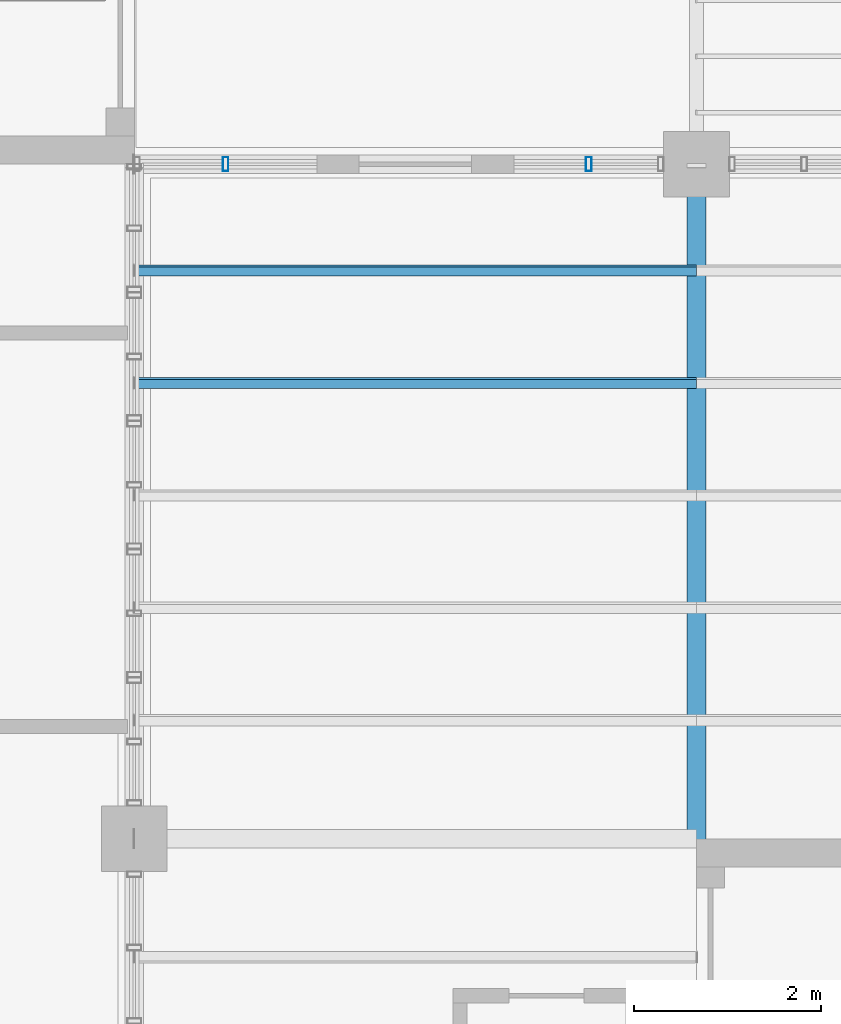
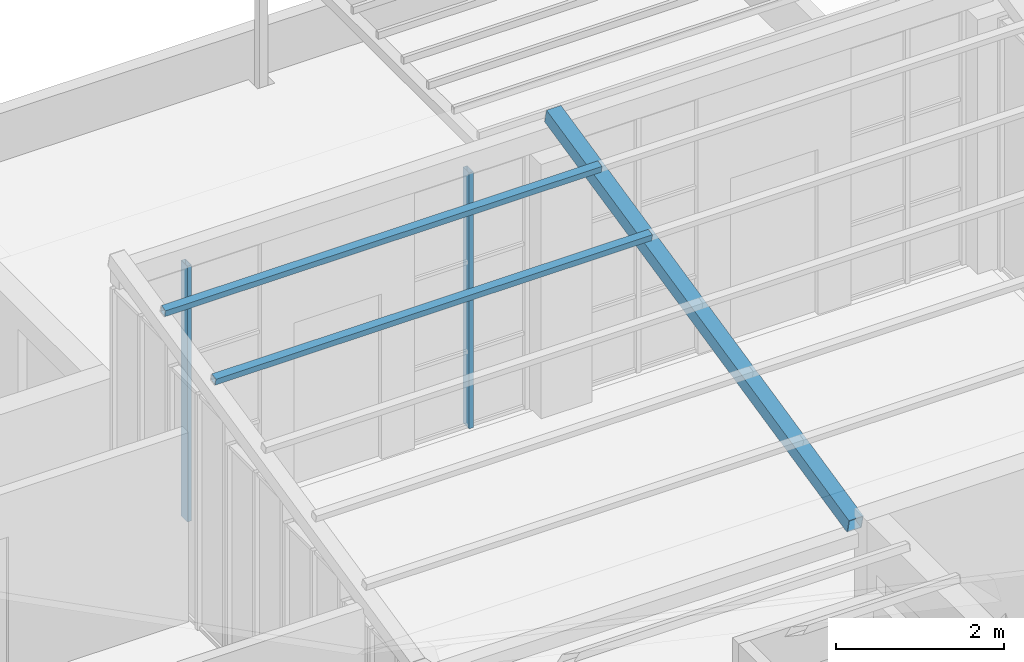
# One storey, part 21 of 51: 5 members, 2 elements without a shape of their own.
"""IFC4 building model written with IfcOpenShell, lengths in metres."""

import ifcopenshell
import ifcopenshell.guid

model = None  # the IFC model being written
_history = None  # IfcOwnerHistory: only IFC2X3 demands one
_inside = {}  # id of a spatial element -> (the spatial element, [elements in it])
_under = {}  # id of a project, library or spatial element -> (it, [spatial elements below it])
_declared = {}  # id of a project -> (the project, [libraries it declares])
_typed = {}  # id of a type object -> (the type object, [elements of that type])
_made_of = {}  # id of a material, layer set ... -> (it, [elements and type objects made of it])


def new_model(schema):
    """Start an empty IFC model of exactly this schema.

    Asked for "IFC4X3", IfcOpenShell would pick the latest addendum, in which some entities
    have other attributes; the version numbers below select the first issue.
    IFC2X3 requires an IfcOwnerHistory on every rooted entity: one is made here for all.
    """
    global model, _history
    if schema == "IFC4X3":
        model = ifcopenshell.file(schema_version=(4, 3, 0, 0))
    else:
        model = ifcopenshell.file(schema=schema)
    _inside.clear()
    _under.clear()
    _declared.clear()
    _typed.clear()
    _made_of.clear()
    _history = None
    if model.schema == "IFC2X3":
        org = make("IfcOrganization", Name="unknown")
        user = make(
            "IfcPersonAndOrganization",
            ThePerson=make("IfcPerson", FamilyName="unknown"),
            TheOrganization=org,
        )
        app = make(
            "IfcApplication",
            ApplicationDeveloper=org,
            Version="unknown",
            ApplicationFullName="unknown",
            ApplicationIdentifier="unknown",
        )
        _history = make(
            "IfcOwnerHistory",
            OwningUser=user,
            OwningApplication=app,
            ChangeAction="ADDED",
            CreationDate=0,
        )
    return model


def make(cls, **values):
    """One entity of the class cls with the attributes given. An attribute that is None is left unset."""
    return model.create_entity(
        cls, **{name: value for name, value in values.items() if value is not None}
    )


def rooted(cls, **values):
    """An entity with a GlobalId (a new one), such as an element, a storey or a relation."""
    return make(cls, GlobalId=ifcopenshell.guid.new(), OwnerHistory=_history, **values)


def si_unit(unit_type, name, prefix=None):
    """IfcSIUnit, for example si_unit("LENGTHUNIT", "METRE", prefix="MILLI")."""
    return make("IfcSIUnit", UnitType=unit_type, Prefix=prefix, Name=name)


def assignment(units):
    """IfcUnitAssignment: the units of a project."""
    return None if units is None else make("IfcUnitAssignment", Units=units)


def point(xyz):
    """IfcCartesianPoint."""
    return None if xyz is None else make("IfcCartesianPoint", Coordinates=xyz)


def direction(xyz):
    """IfcDirection."""
    return None if xyz is None else make("IfcDirection", DirectionRatios=xyz)


def frame(location, z_axis=None, x_axis=None):
    """IfcAxis2Placement3D, a coordinate frame: its origin and axes. An axis left out is left unset."""
    return make(
        "IfcAxis2Placement3D",
        Location=point(location),
        Axis=direction(z_axis),
        RefDirection=direction(x_axis),
    )


def frame_2d(location, x_axis=None):
    """IfcAxis2Placement2D, a coordinate frame in the plane: its origin and x axis."""
    return make(
        "IfcAxis2Placement2D", Location=point(location), RefDirection=direction(x_axis)
    )


def origin():
    """The frame at (0, 0, 0) with its axes left unset."""
    return frame((0.0, 0.0, 0.0))


def origin_2d():
    """The frame at (0, 0) in the plane with its x axis left unset."""
    return frame_2d((0.0, 0.0))


def place(relative_to, where):
    """IfcLocalPlacement: puts the frame where relative to a parent placement (None: the world)."""
    return make(
        "IfcLocalPlacement", PlacementRelTo=relative_to, RelativePlacement=where
    )


def context(
    kind, dimensions, precision=None, world=None, true_north=None, identifier=None
):
    """IfcGeometricRepresentationContext, for example the 3D "Model" context."""
    return make(
        "IfcGeometricRepresentationContext",
        ContextIdentifier=identifier,
        ContextType=kind,
        CoordinateSpaceDimension=dimensions,
        Precision=precision,
        WorldCoordinateSystem=world,
        TrueNorth=true_north,
    )


def subcontext(parent, identifier, kind, view, scale=None):
    """IfcGeometricRepresentationSubContext, for example "Body" below "Model"."""
    return make(
        "IfcGeometricRepresentationSubContext",
        ContextIdentifier=identifier,
        ContextType=kind,
        ParentContext=parent,
        TargetScale=scale,
        TargetView=view,
    )


def project(units=None, contexts=None):
    """IfcProject with its units and contexts."""
    return rooted(
        "IfcProject",
        Name="project",
        RepresentationContexts=contexts,
        UnitsInContext=assignment(units),
    )


def spatial(cls, under=None, at=None, **own):
    """A site, building, storey or space (cls), placed at a placement, below another one or the project."""
    s = rooted(cls, ObjectPlacement=at, **own)
    if under is not None:
        _under.setdefault(under.id(), (under, []))[1].append(s)
    return s


def profile(cls, at=None, kind="AREA", **sizes):
    """A parametric profile (cls). Its sizes go by their IFC names, for example OverallWidth=200.0."""
    return make(cls, ProfileType=kind, Position=at, **sizes)


def hollow_rectangle(**sizes):
    """IfcRectangleHollowProfileDef."""
    return profile("IfcRectangleHollowProfileDef", **sizes)


def extrude(swept, where, along, depth):
    """IfcExtrudedAreaSolid: the profile swept, set in the frame where, extruded along a direction by depth."""
    return make(
        "IfcExtrudedAreaSolid",
        SweptArea=swept,
        Position=where,
        ExtrudedDirection=direction(along),
        Depth=depth,
    )


def shape(context_of_items, identifier, shape_type, items):
    """IfcShapeRepresentation: the items that make up one representation, for example the "Body"."""
    return make(
        "IfcShapeRepresentation",
        ContextOfItems=context_of_items,
        RepresentationIdentifier=identifier,
        RepresentationType=shape_type,
        Items=items,
    )


def material(Name=None, Category=None):
    """IfcMaterial."""
    return make("IfcMaterial", Name=Name, Category=Category)


def material_profile(
    of_material, cross_section, Name=None, Category=None, Priority=None
):
    """IfcMaterialProfile: a cross section and its material."""
    return make(
        "IfcMaterialProfile",
        Name=Name,
        Material=of_material,
        Profile=cross_section,
        Priority=Priority,
        Category=Category,
    )


def profile_set(profiles, Name=None, composite=None):
    """IfcMaterialProfileSet."""
    return make(
        "IfcMaterialProfileSet",
        Name=Name,
        MaterialProfiles=profiles,
        CompositeProfile=composite,
    )


def made_of(thing, what):
    """Note that an element or type object is made of a material, layer set ...; save() writes the relation."""
    if what is not None:
        _made_of.setdefault(what.id(), (what, []))[1].append(thing)
    return thing


def type_object(cls, material=None, **own):
    """A type object (cls), such as IfcWallType, which elements share."""
    return made_of(rooted(cls, **own), material)


def element(
    cls,
    number,
    at=None,
    inside=None,
    cuts=None,
    type_object=None,
    material=None,
    context=None,
    identifier="Body",
    shape_type=None,
    held_by="IfcProductDefinitionShape",
    body=None,
    shapes=None,
    **own,
):
    """One element of the class cls, such as IfcWall. Its Tag is "e" and its number.

    at: its placement. inside: the storey or other place that contains it. cuts: it is an
    opening in that element (IfcRelVoidsElement). A single representation is given by context,
    identifier, shape_type and body (its items); several are given by shapes. held_by: the class
    of the entity that holds the representations. save() writes the other relations.
    """
    e = rooted(cls, Tag="e%d" % number, ObjectPlacement=at, **own)
    if body is not None:
        shapes = [shape(context, identifier, shape_type, body)]
    if shapes is not None:
        e.Representation = make(held_by, Representations=shapes)
    if inside is not None:
        _inside.setdefault(inside.id(), (inside, []))[1].append(e)
    if cuts is not None:
        rooted(
            "IfcRelVoidsElement", RelatingBuildingElement=cuts, RelatedOpeningElement=e
        )
    if type_object is not None:
        _typed.setdefault(type_object.id(), (type_object, []))[1].append(e)
    return made_of(e, material)


def aggregate(whole, parts):
    """IfcRelAggregates: a whole, such as a stair, and the parts it consists of."""
    return rooted("IfcRelAggregates", RelatingObject=whole, RelatedObjects=parts)


def save(model, path):
    """Write the relations noted so far, then the file.

    IfcRelAggregates (storeys below a building ...), IfcRelContainedInSpatialStructure (elements
    in a storey), IfcRelDefinesByType, IfcRelAssociatesMaterial and IfcRelDeclares: one each for
    every whole, place, type object, material and project.
    """
    for whole, parts in _under.values():
        aggregate(whole, parts)
    for where, things in _inside.values():
        rooted(
            "IfcRelContainedInSpatialStructure",
            RelatedElements=things,
            RelatingStructure=where,
        )
    for kind, things in _typed.values():
        rooted("IfcRelDefinesByType", RelatedObjects=things, RelatingType=kind)
    for what, things in _made_of.values():
        rooted("IfcRelAssociatesMaterial", RelatedObjects=things, RelatingMaterial=what)
    for by, libraries in _declared.values():
        rooted("IfcRelDeclares", RelatingContext=by, RelatedDefinitions=libraries)
    model.write(path)


model = new_model("IFC4")

# Units and contexts
model_context = context("Model", 3, precision=1e-05, world=origin(), true_north=direction((0.0, 1.0)))
body_context = subcontext(model_context, "Body", "Model", "MODEL_VIEW")
ifc_project = project(units=[si_unit("LENGTHUNIT", "METRE"), si_unit("AREAUNIT", "SQUARE_METRE"), si_unit("VOLUMEUNIT", "CUBIC_METRE"), si_unit("PLANEANGLEUNIT", "RADIAN"), si_unit("MASSUNIT", "GRAM", prefix="KILO")], contexts=[model_context])

# Site, building, storey
site_placement = place(None, origin())
site = spatial("IfcSite", under=ifc_project, at=site_placement, CompositionType="ELEMENT")
building_placement = place(site_placement, origin())
building = spatial("IfcBuilding", under=site, at=building_placement, Name="Laocheng Heights Fire and Rescue Headquarters", CompositionType="ELEMENT")
storey_placement = place(building_placement, frame((0.0, 0.0, 21.0)))
storey = spatial("IfcBuildingStorey", under=building, at=storey_placement, Name="L05", CompositionType="ELEMENT", Elevation=21.0)

# Curtain wall, member
ifc_material_1 = material(Name="Dark anodised aluminium unitised curtain wall, low-e double glazing", Category="aluminium")
curtain_wall_type_1 = type_object("IfcCurtainWallType", Name="CW 1950 x 3714 CREW ROOF LOUNGE GLAZING", PredefinedType="NOTDEFINED", material=ifc_material_1)
curtain_wall_1_placement = place(storey_placement, origin())
curtain_wall_1 = element("IfcCurtainWall", 1, at=curtain_wall_1_placement, inside=storey, type_object=curtain_wall_type_1, Name="X10-W CREW LOUNGE NORTH L05", PredefinedType="NOTDEFINED")
ifc_material_2 = material(Name="Dark anodised aluminium 6063-T5 extrusion", Category="aluminium")
ifc_material_profile_1 = material_profile(ifc_material_2, hollow_rectangle(XDim=0.14990234375, YDim=0.06005859375, WallThickness=0.0029296875, at=origin_2d()), Name="AL MULLION 150x60x3 CREW ROOF LOUNGE GLAZING")
ifc_profile_set_1 = profile_set([ifc_material_profile_1], Name="Dark anodised aluminium 6063-T5 extrusion")
member_type_1 = type_object("IfcMemberType", Name="AL MULLION 150x60x3 CREW ROOF LOUNGE GLAZING", PredefinedType="MULLION", material=ifc_profile_set_1)
member_1_placement = place(storey_placement, frame((96.97509765625, 50.39990234375, 0.0), z_axis=(0.0, 0.0, 1.0), x_axis=(0.0, 1.0, 0.0)))
member_1 = element("IfcMember", 2, at=member_1_placement, type_object=member_type_1, Name="X10-W mullion 2", PredefinedType="MULLION", context=body_context, shape_type="SweptSolid", body=[
    extrude(hollow_rectangle(XDim=0.14990234375, YDim=0.06005859375, WallThickness=0.0029296875, at=origin_2d()), origin(), (0.0, 0.0, 1.0), 3.71435546875),
])
aggregate(curtain_wall_1, [member_1])

ifc_material_3 = material(Name="Dark anodised aluminium unitised curtain wall, low-e double glazing", Category="aluminium")
curtain_wall_type_2 = type_object("IfcCurtainWallType", Name="CW 1600 x 3714 CREW ROOF LOUNGE GLAZING", PredefinedType="NOTDEFINED", material=ifc_material_3)
curtain_wall_2_placement = place(storey_placement, origin())
curtain_wall_2 = element("IfcCurtainWall", 3, at=curtain_wall_2_placement, inside=storey, type_object=curtain_wall_type_2, Name="X11-W CREW LOUNGE NORTH L05", PredefinedType="NOTDEFINED")
member_2_placement = place(storey_placement, frame((100.85009765625, 50.39990234375, 0.0), z_axis=(0.0, 0.0, 1.0), x_axis=(0.0, 1.0, 0.0)))
member_2 = element("IfcMember", 4, at=member_2_placement, type_object=member_type_1, Name="X11-W mullion 2", PredefinedType="MULLION", context=body_context, shape_type="SweptSolid", body=[
    extrude(hollow_rectangle(XDim=0.14990234375, YDim=0.06005859375, WallThickness=0.0029296875, at=origin_2d()), origin(), (0.0, 0.0, 1.0), 3.71435546875),
])
aggregate(curtain_wall_2, [member_2])

# Members
ifc_material_4 = material(Name="Steel Q355B", Category="steel")
ifc_material_profile_2 = material_profile(ifc_material_4, hollow_rectangle(XDim=0.10009765625, YDim=0.10009765625, WallThickness=0.0048828125, at=origin_2d()), Name="RHS 100x100x5")
ifc_profile_set_2 = profile_set([ifc_material_profile_2], Name="Steel Q355B")
member_type_2 = type_object("IfcMemberType", Name="RHS 100x100x5 PURLIN", PredefinedType="PURLIN", material=ifc_profile_set_2)
for number, where, z_axis, x_axis, name in (
    (5, (96.0, 48.065185546875, 3.773681640625), (1.0, 0.0, 0.0), (0.0, 0.976187089372, 0.216930326473), "Butterfly purlin N 4.8"),
    (6, (96.0, 49.26513671875, 4.04052734375), (1.0, 0.0, 0.0), (0.0, 0.976187089372, 0.216930326473), "Butterfly purlin N 6"),
):
    element("IfcMember", number, at=place(storey_placement, frame(where, z_axis=z_axis, x_axis=x_axis)), inside=storey, type_object=member_type_2, Name=name, PredefinedType="PURLIN", context=body_context, shape_type="SweptSolid", body=[
        extrude(hollow_rectangle(XDim=0.10009765625, YDim=0.10009765625, WallThickness=0.0048828125, at=origin_2d()), origin(), (0.0, 0.0, 1.0), 6.0),
    ])
ifc_material_5 = material(Name="Steel Q355B", Category="steel")
ifc_material_profile_3 = material_profile(ifc_material_5, hollow_rectangle(XDim=0.199951171875, YDim=0.199951171875, WallThickness=0.008056640625, at=origin_2d()), Name="SHS 200x200x8")
ifc_profile_set_3 = profile_set([ifc_material_profile_3], Name="Steel Q355B")
member_type_3 = type_object("IfcMemberType", Name="SHS 200x200x8 RAFTER", PredefinedType="RAFTER", material=ifc_profile_set_3)
member_3_placement = place(storey_placement, frame((102.0, 50.37841796875, 4.13427734375), z_axis=(0.0, -0.976185502511, -0.216937467227), x_axis=(1.0, 0.0, 0.0)))
element("IfcMember", 7, at=member_3_placement, inside=storey, type_object=member_type_3, Name="Butterfly rafter N 102", PredefinedType="RAFTER", context=body_context, shape_type="SweptSolid", body=[
    extrude(hollow_rectangle(XDim=0.199951171875, YDim=0.199951171875, WallThickness=0.008056640625, at=origin_2d()), origin(), (0.0, 0.0, 1.0), 7.375732421875),
])

save(model, "model.ifc")
